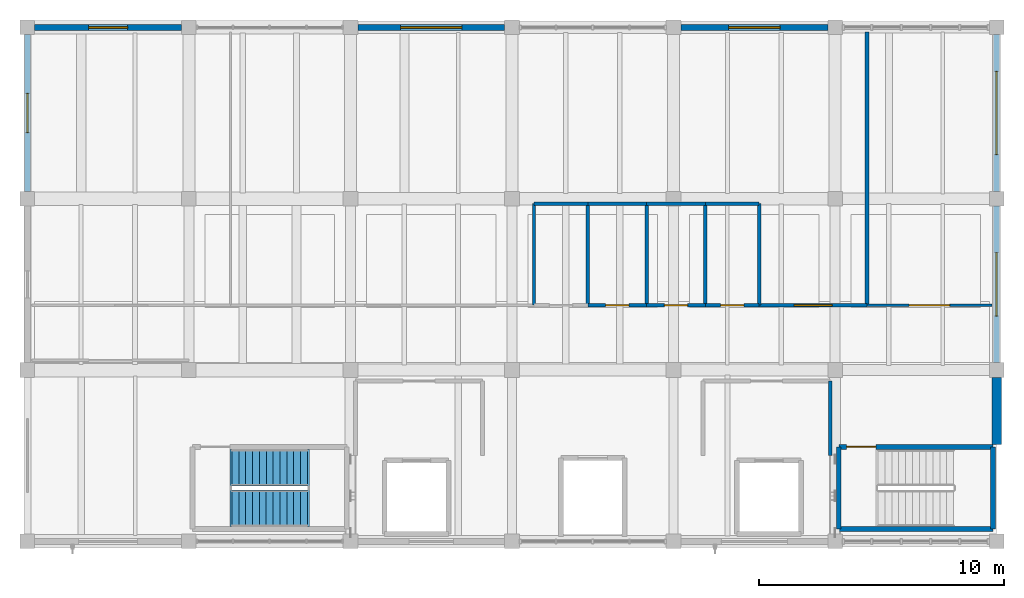
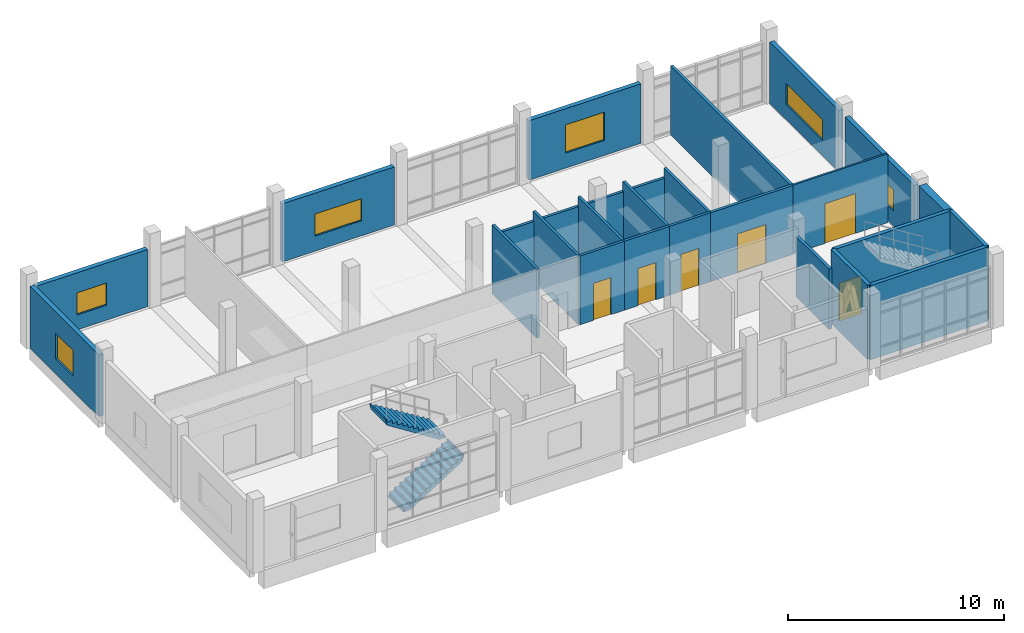
# One storey, part 10 of 14: 27 walls, 6 doors, 6 windows, 2 stair flights, 12 openings, 1 element without a shape of its own.
"""IFC4 building model written with IfcOpenShell, lengths in metres."""

from ifc_helpers import new_model, si_unit, direction, frame, frame_2d, origin, place, context, subcontext, project, spatial, polyline, rectangle, outline, extrude, material, layer, layer_set, type_object, element, fill, aggregate, save


model = new_model("IFC4")

# Units and contexts
model_context = context("Model", 3, precision=1e-05, world=origin(), true_north=direction((0.0, 1.0)))
body_context = subcontext(model_context, "Body", "Model", "MODEL_VIEW")
ifc_project = project(units=[si_unit("LENGTHUNIT", "METRE"), si_unit("AREAUNIT", "SQUARE_METRE"), si_unit("VOLUMEUNIT", "CUBIC_METRE"), si_unit("PLANEANGLEUNIT", "RADIAN"), si_unit("MASSUNIT", "GRAM", prefix="KILO")], contexts=[model_context])

# Site, building, storey
site_placement = place(None, origin())
site = spatial("IfcSite", under=ifc_project, at=site_placement, CompositionType="ELEMENT")
building_placement = place(site_placement, origin())
building = spatial("IfcBuilding", under=site, at=building_placement, Name="Ciguamira Faculty of Natural Sciences", CompositionType="ELEMENT")
storey_placement = place(building_placement, frame((0.0, 0.0, 33.60009765625)))
storey = spatial("IfcBuildingStorey", under=building, at=storey_placement, Name="L08", CompositionType="ELEMENT", Elevation=33.60009765625)

# Wall, opening, window
ifc_material_1 = material(Name="Precast concrete C40/50", Category="concrete")
ifc_layer_1 = layer(ifc_material_1, 0.239990234375, Name="Precast concrete C40/50")
ifc_layer_set_1 = layer_set([ifc_layer_1], Name="Precast concrete C40/50")
wall_type_1 = type_object("IfcWallType", Name="ExtWall_EW-02_240", PredefinedType="SOLIDWALL", material=ifc_layer_set_1)
wall_1_placement = place(storey_placement, frame((64.199951171875, 115.0, 0.0), z_axis=(0.0, 0.0, 1.0), x_axis=(1.0, 0.0, 0.0)))
wall_1 = element("IfcWall", 1, at=wall_1_placement, inside=storey, type_object=wall_type_1, Name="L08 exterior wall 0376", PredefinedType="SOLIDWALL", context=body_context, shape_type="SweptSolid", body=[
    extrude(rectangle(XDim=6.0, YDim=0.239990234375, at=frame_2d((3.0, 0.0))), origin(), (0.0, 0.0, 1.0), 3.23486328125),
])
opening_1_placement = place(wall_1_placement, frame((2.199951171875, 0.0, 0.85009765625)))
opening_1 = element("IfcOpeningElement", 2, at=opening_1_placement, cuts=wall_1, Name="Opening WT-16", PredefinedType="OPENING", context=body_context, shape_type="SweptSolid", body=[
    extrude(rectangle(XDim=1.60009765625, YDim=1.25, at=frame_2d((0.800048828125, 0.625))), frame((0.0, 0.1298828125, 0.0), z_axis=(0.0, -1.0, 0.0), x_axis=(1.0, 0.0, 0.0)), (0.0, 0.0, 1.0), 0.260009765625),
])
ifc_material_2 = material(Name="Hurricane laminated solar glass", Category="glass")
window_type_1 = type_object("IfcWindowType", Name="Window_WT-16_1600x1250", PartitioningType="DOUBLE_PANEL_VERTICAL", PredefinedType="WINDOW", material=ifc_material_2)
window_1_placement = place(opening_1_placement, origin())
window_1 = element("IfcWindow", 3, at=window_1_placement, inside=storey, type_object=window_type_1, Name="L08 facade window 0263", OverallHeight=1.25, OverallWidth=1.60009765625, PartitioningType="SINGLE_PANEL", PredefinedType="WINDOW", context=body_context, shape_type="SweptSolid", body=[
    extrude(rectangle(XDim=1.60009765625, YDim=1.25, at=frame_2d((0.800048828125, 0.625))), frame((0.0, 0.030029296875, 0.0), z_axis=(0.0, -1.0, 0.0), x_axis=(1.0, 0.0, 0.0)), (0.0, 0.0, 1.0), 0.06005859375),
])
fill(opening_1, window_1)

wall_2_placement = place(storey_placement, frame((77.39990234375, 115.0, 0.0), z_axis=(0.0, 0.0, 1.0), x_axis=(1.0, 0.0, 0.0)))
wall_2 = element("IfcWall", 4, at=wall_2_placement, inside=storey, type_object=wall_type_1, Name="L08 exterior wall 0377", PredefinedType="SOLIDWALL", context=body_context, shape_type="SweptSolid", body=[
    extrude(rectangle(XDim=6.0, YDim=0.239990234375, at=frame_2d((3.0, 0.0))), origin(), (0.0, 0.0, 1.0), 3.284912109375),
])
opening_2_placement = place(wall_2_placement, frame((1.75, 0.0, 0.85009765625)))
opening_2 = element("IfcOpeningElement", 5, at=opening_2_placement, cuts=wall_2, Name="Opening WT-19", PredefinedType="OPENING", context=body_context, shape_type="SweptSolid", body=[
    extrude(rectangle(XDim=2.5, YDim=1.25, at=frame_2d((1.25, 0.625))), frame((0.0, 0.1298828125, 0.0), z_axis=(0.0, -1.0, 0.0), x_axis=(1.0, 0.0, 0.0)), (0.0, 0.0, 1.0), 0.260009765625),
])
window_type_2 = type_object("IfcWindowType", Name="Window_WT-19_2500x1250", PartitioningType="DOUBLE_PANEL_VERTICAL", PredefinedType="WINDOW", material=ifc_material_2)
window_2_placement = place(opening_2_placement, origin())
window_2 = element("IfcWindow", 6, at=window_2_placement, inside=storey, type_object=window_type_2, Name="L08 facade window 0264", OverallHeight=1.25, OverallWidth=2.5, PartitioningType="SINGLE_PANEL", PredefinedType="WINDOW", context=body_context, shape_type="SweptSolid", body=[
    extrude(rectangle(XDim=2.5, YDim=1.25, at=frame_2d((1.25, 0.625))), frame((0.0, 0.030029296875, 0.0), z_axis=(0.0, -1.0, 0.0), x_axis=(1.0, 0.0, 0.0)), (0.0, 0.0, 1.0), 0.06005859375),
])
fill(opening_2, window_2)

wall_3_placement = place(storey_placement, frame((90.60009765625, 115.0, 0.0), z_axis=(0.0, 0.0, 1.0), x_axis=(1.0, 0.0, 0.0)))
wall_3 = element("IfcWall", 7, at=wall_3_placement, inside=storey, type_object=wall_type_1, Name="L08 exterior wall 0378", PredefinedType="SOLIDWALL", context=body_context, shape_type="SweptSolid", body=[
    extrude(rectangle(XDim=6.0, YDim=0.239990234375, at=frame_2d((3.0, 0.0))), origin(), (0.0, 0.0, 1.0), 3.364990234375),
])
opening_3_placement = place(wall_3_placement, frame((1.949951171875, 0.0, 0.85009765625)))
opening_3 = element("IfcOpeningElement", 8, at=opening_3_placement, cuts=wall_3, Name="Opening WT-22", PredefinedType="OPENING", context=body_context, shape_type="SweptSolid", body=[
    extrude(rectangle(XDim=2.10009765625, YDim=1.60009765625, at=frame_2d((1.050048828125, 0.800048828125))), frame((0.0, 0.1298828125, 0.0), z_axis=(0.0, -1.0, 0.0), x_axis=(1.0, 0.0, 0.0)), (0.0, 0.0, 1.0), 0.260009765625),
])
window_type_3 = type_object("IfcWindowType", Name="Window_WT-22_2100x1600", PartitioningType="DOUBLE_PANEL_VERTICAL", PredefinedType="WINDOW", material=ifc_material_2)
window_3_placement = place(opening_3_placement, origin())
window_3 = element("IfcWindow", 9, at=window_3_placement, inside=storey, type_object=window_type_3, Name="L08 facade window 0265", OverallHeight=1.60009765625, OverallWidth=2.10009765625, PartitioningType="SINGLE_PANEL", PredefinedType="WINDOW", context=body_context, shape_type="SweptSolid", body=[
    extrude(rectangle(XDim=2.10009765625, YDim=1.60009765625, at=frame_2d((1.050048828125, 0.800048828125))), frame((0.0, 0.030029296875, 0.0), z_axis=(0.0, -1.0, 0.0), x_axis=(1.0, 0.0, 0.0)), (0.0, 0.0, 1.0), 0.06005859375),
])
fill(opening_3, window_3)

wall_4_placement = place(storey_placement, frame((63.89990234375, 108.300048828125, 0.0), z_axis=(0.0, 0.0, 1.0), x_axis=(0.0, 1.0, 0.0)))
wall_4 = element("IfcWall", 10, at=wall_4_placement, inside=storey, type_object=wall_type_1, Name="L08 exterior wall 0381", PredefinedType="SOLIDWALL", context=body_context, shape_type="SweptSolid", body=[
    extrude(rectangle(XDim=6.39990234375, YDim=0.239990234375, at=frame_2d((3.199951171875, 0.0))), origin(), (0.0, 0.0, 1.0), 3.5048828125),
])
opening_4_placement = place(wall_4_placement, frame((2.39990234375, 0.0, 0.85009765625)))
opening_4 = element("IfcOpeningElement", 11, at=opening_4_placement, cuts=wall_4, Name="Opening WT-29", PredefinedType="OPENING", context=body_context, shape_type="SweptSolid", body=[
    extrude(rectangle(XDim=1.60009765625, YDim=1.449951171875, at=frame_2d((0.800048828125, 0.72509765625))), frame((0.0, 0.1298828125, 0.0), z_axis=(0.0, -1.0, 0.0), x_axis=(1.0, 0.0, 0.0)), (0.0, 0.0, 1.0), 0.260009765625),
])
window_type_4 = type_object("IfcWindowType", Name="Window_WT-29_1600x1450", PartitioningType="DOUBLE_PANEL_VERTICAL", PredefinedType="WINDOW", material=ifc_material_2)
window_4_placement = place(opening_4_placement, origin())
window_4 = element("IfcWindow", 12, at=window_4_placement, inside=storey, type_object=window_type_4, Name="L08 facade window 0268", OverallHeight=1.449951171875, OverallWidth=1.60009765625, PartitioningType="SINGLE_PANEL", PredefinedType="WINDOW", context=body_context, shape_type="SweptSolid", body=[
    extrude(rectangle(XDim=1.60009765625, YDim=1.449951171875, at=frame_2d((0.800048828125, 0.72509765625))), frame((0.0, 0.030029296875, 0.0), z_axis=(0.0, -1.0, 0.0), x_axis=(1.0, 0.0, 0.0)), (0.0, 0.0, 1.0), 0.06005859375),
])
fill(opening_4, window_4)

wall_5_placement = place(storey_placement, frame((103.5, 101.300048828125, 0.0), z_axis=(0.0, 0.0, 1.0), x_axis=(0.0, 1.0, 0.0)))
wall_5 = element("IfcWall", 13, at=wall_5_placement, inside=storey, type_object=wall_type_1, Name="L08 exterior wall 0383", PredefinedType="SOLIDWALL", context=body_context, shape_type="SweptSolid", body=[
    extrude(rectangle(XDim=6.39990234375, YDim=0.239990234375, at=frame_2d((3.199951171875, 0.0))), origin(), (0.0, 0.0, 1.0), 3.46484375),
])
opening_5_placement = place(wall_5_placement, frame((1.89990234375, 0.0, 0.85009765625)))
opening_5 = element("IfcOpeningElement", 14, at=opening_5_placement, cuts=wall_5, Name="Opening WT-32", PredefinedType="OPENING", context=body_context, shape_type="SweptSolid", body=[
    extrude(rectangle(XDim=2.60009765625, YDim=1.199951171875, at=frame_2d((1.300048828125, 0.60009765625))), frame((0.0, 0.1298828125, 0.0), z_axis=(0.0, -1.0, 0.0), x_axis=(1.0, 0.0, 0.0)), (0.0, 0.0, 1.0), 0.260009765625),
])
window_type_5 = type_object("IfcWindowType", Name="Window_WT-32_2600x1200", PartitioningType="DOUBLE_PANEL_VERTICAL", PredefinedType="WINDOW", material=ifc_material_2)
window_5_placement = place(opening_5_placement, origin())
window_5 = element("IfcWindow", 15, at=window_5_placement, inside=storey, type_object=window_type_5, Name="L08 facade window 0269", OverallHeight=1.199951171875, OverallWidth=2.60009765625, PartitioningType="SINGLE_PANEL", PredefinedType="WINDOW", context=body_context, shape_type="SweptSolid", body=[
    extrude(rectangle(XDim=2.60009765625, YDim=1.199951171875, at=frame_2d((1.300048828125, 0.60009765625))), frame((0.0, 0.030029296875, 0.0), z_axis=(0.0, -1.0, 0.0), x_axis=(1.0, 0.0, 0.0)), (0.0, 0.0, 1.0), 0.06005859375),
])
fill(opening_5, window_5)

wall_6_placement = place(storey_placement, frame((103.5, 108.300048828125, 0.0), z_axis=(0.0, 0.0, 1.0), x_axis=(0.0, 1.0, 0.0)))
wall_6 = element("IfcWall", 16, at=wall_6_placement, inside=storey, type_object=wall_type_1, Name="L08 exterior wall 0384", PredefinedType="SOLIDWALL", context=body_context, shape_type="SweptSolid", body=[
    extrude(rectangle(XDim=6.39990234375, YDim=0.239990234375, at=frame_2d((3.199951171875, 0.0))), origin(), (0.0, 0.0, 1.0), 3.46484375),
])
opening_6_placement = place(wall_6_placement, frame((1.5, 0.0, 0.85009765625)))
opening_6 = element("IfcOpeningElement", 17, at=opening_6_placement, cuts=wall_6, Name="Opening WT-34", PredefinedType="OPENING", context=body_context, shape_type="SweptSolid", body=[
    extrude(rectangle(XDim=3.39990234375, YDim=1.199951171875, at=frame_2d((1.699951171875, 0.60009765625))), frame((0.0, 0.1298828125, 0.0), z_axis=(0.0, -1.0, 0.0), x_axis=(1.0, 0.0, 0.0)), (0.0, 0.0, 1.0), 0.260009765625),
])
window_type_6 = type_object("IfcWindowType", Name="Window_WT-34_3400x1200", PartitioningType="DOUBLE_PANEL_VERTICAL", PredefinedType="WINDOW", material=ifc_material_2)
window_6_placement = place(opening_6_placement, origin())
window_6 = element("IfcWindow", 18, at=window_6_placement, inside=storey, type_object=window_type_6, Name="L08 facade window 0270", OverallHeight=1.199951171875, OverallWidth=3.39990234375, PartitioningType="SINGLE_PANEL", PredefinedType="WINDOW", context=body_context, shape_type="SweptSolid", body=[
    extrude(rectangle(XDim=3.39990234375, YDim=1.199951171875, at=frame_2d((1.699951171875, 0.60009765625))), frame((0.0, 0.030029296875, 0.0), z_axis=(0.0, -1.0, 0.0), x_axis=(1.0, 0.0, 0.0)), (0.0, 0.0, 1.0), 0.06005859375),
])
fill(opening_6, window_6)

# Walls
ifc_material_3 = material(Name="Concrete C40/50", Category="concrete")
ifc_layer_2 = layer(ifc_material_3, 0.39990234375, Name="Concrete C40/50")
ifc_layer_set_2 = layer_set([ifc_layer_2], Name="Concrete C40/50")
wall_type_2 = type_object("IfcWallType", Name="ExtWall_RW-02_400", PredefinedType="SHEAR", material=ifc_layer_set_2)
wall_7_placement = place(storey_placement, frame((103.5, 97.9599609375, 0.0), z_axis=(0.0, 0.0, 1.0), x_axis=(0.0, 1.0, 0.0)))
element("IfcWall", 19, at=wall_7_placement, inside=storey, type_object=wall_type_2, Name="L08 exterior wall 0382", PredefinedType="SHEAR", context=body_context, shape_type="SweptSolid", body=[
    extrude(rectangle(XDim=2.739990234375, YDim=0.39990234375, at=frame_2d((1.3701171875, 0.0))), origin(), (0.0, 0.0, 1.0), 3.849853515625),
])
ifc_layer_3 = layer(ifc_material_3, 0.199951171875, Name="Concrete C40/50")
ifc_layer_set_3 = layer_set([ifc_layer_3], Name="Concrete C40/50")
wall_type_3 = type_object("IfcWallType", Name="IntWall_CW-S20_200", PredefinedType="SHEAR", material=ifc_layer_set_3)
wall_8_placement = place(storey_placement, frame((97.050048828125, 94.5, 0.0), z_axis=(0.0, 0.0, 1.0), x_axis=(1.0, 0.0, 0.0)))
element("IfcWall", 20, at=wall_8_placement, inside=storey, type_object=wall_type_3, Name="L08 ST-T2 core shear wall south", PredefinedType="SHEAR", context=body_context, shape_type="SweptSolid", body=[
    extrude(rectangle(XDim=6.300048828125, YDim=0.199951171875, at=frame_2d((3.14990234375, 0.0))), origin(), (0.0, 0.0, 1.0), 4.199951171875),
])

# Wall, opening, door
wall_9_placement = place(storey_placement, frame((97.050048828125, 97.860107421875, 0.0), z_axis=(0.0, 0.0, 1.0), x_axis=(1.0, 0.0, 0.0)))
wall_9 = element("IfcWall", 21, at=wall_9_placement, inside=storey, type_object=wall_type_3, Name="L08 ST-T2 core shear wall north", PredefinedType="SHEAR", context=body_context, shape_type="SweptSolid", body=[
    extrude(rectangle(XDim=6.300048828125, YDim=0.199951171875, at=frame_2d((3.14990234375, 0.0))), origin(), (0.0, 0.0, 1.0), 4.199951171875),
])
opening_7_placement = place(wall_9_placement, frame((0.320068359375, 0.0, 0.0)))
opening_7 = element("IfcOpeningElement", 22, at=opening_7_placement, cuts=wall_9, Name="Opening ID-14", PredefinedType="OPENING", context=body_context, shape_type="SweptSolid", body=[
    extrude(rectangle(XDim=1.199951171875, YDim=2.14990234375, at=frame_2d((0.60009765625, 1.074951171875))), frame((0.0, 0.10986328125, 0.0), z_axis=(0.0, -1.0, 0.0), x_axis=(1.0, 0.0, 0.0)), (0.0, 0.0, 1.0), 0.219970703125),
])
ifc_material_4 = material(Name="Protected exit stair fire door")
door_type_1 = type_object("IfcDoorType", Name="IntDoor_ID-14_1200x2150", OperationType="NOTDEFINED", PredefinedType="DOOR", material=ifc_material_4)
door_1_placement = place(opening_7_placement, frame((1.199951171875, 0.0, 0.0), z_axis=(0.0, 0.0, 1.0), x_axis=(-1.0, 0.0, 0.0)))
door_1 = element("IfcDoor", 23, at=door_1_placement, inside=storey, type_object=door_type_1, Name="L08 ST-T2 exit stair fire door", OperationType="SINGLE_SWING_LEFT", OverallHeight=2.14990234375, OverallWidth=1.199951171875, PredefinedType="DOOR", context=body_context, shape_type="SweptSolid", body=[
    extrude(rectangle(XDim=1.199951171875, YDim=2.14990234375, at=frame_2d((0.60009765625, 1.074951171875))), frame((0.0, 0.02490234375, 0.0), z_axis=(0.0, -1.0, 0.0), x_axis=(1.0, 0.0, 0.0)), (0.0, 0.0, 1.0), 0.050048828125),
])
fill(opening_7, door_1)

# Walls
for number, where, z_axis, x_axis, name in (
    (24, (97.050048828125, 94.5, 0.0), (0.0, 0.0, 1.0), (0.0, 1.0, 0.0), "L08 ST-T2 core shear wall west"),
    (25, (103.35009765625, 94.5, 0.0), (0.0, 0.0, 1.0), (0.0, 1.0, 0.0), "L08 ST-T2 core shear wall east"),
):
    element("IfcWall", number, at=place(storey_placement, frame(where, z_axis=z_axis, x_axis=x_axis)), inside=storey, type_object=wall_type_3, Name=name, PredefinedType="SHEAR", context=body_context, shape_type="SweptSolid", body=[
        extrude(rectangle(XDim=3.360107421875, YDim=0.199951171875, at=frame_2d((1.68017578125, 0.0))), origin(), (0.0, 0.0, 1.0), 4.199951171875),
    ])

# Wall, opening, door
ifc_material_5 = material(Name="Fire-rated gypsum partition")
ifc_layer_4 = layer(ifc_material_5, 0.10009765625, Name="Fire-rated gypsum partition")
ifc_layer_set_4 = layer_set([ifc_layer_4], Name="Fire-rated gypsum partition")
wall_type_4 = type_object("IfcWallType", Name="IntWall_IW-A10_100", PredefinedType="PARTITIONING", material=ifc_layer_set_4)
wall_10_placement = place(storey_placement, frame((98.199951171875, 103.64990234375, 0.0), z_axis=(0.0, 0.0, 1.0), x_axis=(1.0, 0.0, 0.0)))
wall_10 = element("IfcWall", 26, at=wall_10_placement, inside=storey, type_object=wall_type_4, Name="L08 Physics Academic Staff Offices partition south", PredefinedType="PARTITIONING", context=body_context, shape_type="SweptSolid", body=[
    extrude(rectangle(XDim=5.10009765625, YDim=0.10009765625, at=frame_2d((2.550048828125, 0.0))), origin(), (0.0, 0.0, 1.0), 3.89990234375),
])
opening_8_placement = place(wall_10_placement, frame((1.72509765625, 0.0, 0.0)))
opening_8 = element("IfcOpeningElement", 27, at=opening_8_placement, cuts=wall_10, Name="Opening ID-10", PredefinedType="OPENING", context=body_context, shape_type="SweptSolid", body=[
    extrude(rectangle(XDim=1.64990234375, YDim=2.25, at=frame_2d((0.824951171875, 1.125))), frame((0.0, 0.06005859375, 0.0), z_axis=(0.0, -1.0, 0.0), x_axis=(1.0, 0.0, 0.0)), (0.0, 0.0, 1.0), 0.1201171875),
])
ifc_material_6 = material(Name="Reading hall double acoustic door")
door_type_2 = type_object("IfcDoorType", Name="IntDoor_ID-10_1650x2250", OperationType="NOTDEFINED", PredefinedType="DOOR", material=ifc_material_6)
door_2_placement = place(opening_8_placement, origin())
door_2 = element("IfcDoor", 28, at=door_2_placement, inside=storey, type_object=door_type_2, Name="L08 Physics Academic Staff Offices door", OperationType="SINGLE_SWING_RIGHT", OverallHeight=2.25, OverallWidth=1.64990234375, PredefinedType="DOOR", context=body_context, shape_type="SweptSolid", body=[
    extrude(rectangle(XDim=1.64990234375, YDim=2.25, at=frame_2d((0.824951171875, 1.125))), frame((0.0, 0.02490234375, 0.0), z_axis=(0.0, -1.0, 0.0), x_axis=(1.0, 0.0, 0.0)), (0.0, 0.0, 1.0), 0.050048828125),
])
fill(opening_8, door_2)

# Wall
ifc_material_7 = material(Name="Fire-rated blockwork wall", Category="masonry")
ifc_layer_5 = layer(ifc_material_7, 0.159912109375, Name="Fire-rated blockwork wall")
ifc_layer_set_5 = layer_set([ifc_layer_5], Name="Fire-rated blockwork wall")
wall_type_5 = type_object("IfcWallType", Name="IntWall_IW-F16_160", PredefinedType="SOLIDWALL", material=ifc_layer_set_5)
wall_11_placement = place(storey_placement, frame((96.699951171875, 97.5, 0.0), z_axis=(0.0, 0.0, 1.0), x_axis=(0.0, 1.0, 0.0)))
element("IfcWall", 29, at=wall_11_placement, inside=storey, type_object=wall_type_5, Name="L08 Firefighting Lift Lobby 2 partition east", PredefinedType="SOLIDWALL", context=body_context, shape_type="SweptSolid", body=[
    extrude(rectangle(XDim=3.050048828125, YDim=0.159912109375, at=frame_2d((1.52490234375, 0.0))), origin(), (0.0, 0.0, 1.0), 3.40478515625),
])

# Wall, opening, door
ifc_material_8 = material(Name="Acoustic laboratory corridor partition")
ifc_layer_6 = layer(ifc_material_8, 0.14990234375, Name="Acoustic laboratory corridor partition")
ifc_layer_set_6 = layer_set([ifc_layer_6], Name="Acoustic laboratory corridor partition")
wall_type_6 = type_object("IfcWallType", Name="IntWall_IW-G15_150", PredefinedType="PARTITIONING", material=ifc_layer_set_6)
wall_12_placement = place(storey_placement, frame((93.800048828125, 103.64990234375, 0.0), z_axis=(0.0, 0.0, 1.0), x_axis=(1.0, 0.0, 0.0)))
wall_12 = element("IfcWall", 30, at=wall_12_placement, inside=storey, type_object=wall_type_6, Name="L08 Optics and Photonics Laboratory partition south", PredefinedType="PARTITIONING", context=body_context, shape_type="SweptSolid", body=[
    extrude(rectangle(XDim=4.39990234375, YDim=0.14990234375, at=frame_2d((2.199951171875, 0.0))), origin(), (0.0, 0.0, 1.0), 3.89990234375),
])
opening_9_placement = place(wall_12_placement, frame((1.425048828125, 0.0, 0.0)))
opening_9 = element("IfcOpeningElement", 31, at=opening_9_placement, cuts=wall_12, Name="Opening ID-09", PredefinedType="OPENING", context=body_context, shape_type="SweptSolid", body=[
    extrude(rectangle(XDim=1.550048828125, YDim=2.199951171875, at=frame_2d((0.77490234375, 1.10009765625))), frame((0.0, 0.0849609375, 0.0), z_axis=(0.0, -1.0, 0.0), x_axis=(1.0, 0.0, 0.0)), (0.0, 0.0, 1.0), 0.169921875),
])
ifc_material_9 = material(Name="Teaching laboratory double door")
door_type_3 = type_object("IfcDoorType", Name="IntDoor_ID-09_1550x2200", OperationType="NOTDEFINED", PredefinedType="DOOR", material=ifc_material_9)
door_3_placement = place(opening_9_placement, origin())
door_3 = element("IfcDoor", 32, at=door_3_placement, inside=storey, type_object=door_type_3, Name="L08 Optics and Photonics Laboratory door", OperationType="SINGLE_SWING_LEFT", OverallHeight=2.199951171875, OverallWidth=1.550048828125, PredefinedType="DOOR", context=body_context, shape_type="SweptSolid", body=[
    extrude(rectangle(XDim=1.550048828125, YDim=2.199951171875, at=frame_2d((0.77490234375, 1.10009765625))), frame((0.0, 0.02490234375, 0.0), z_axis=(0.0, -1.0, 0.0), x_axis=(1.0, 0.0, 0.0)), (0.0, 0.0, 1.0), 0.050048828125),
])
fill(opening_9, door_3)

# Walls
wall_13_placement = place(storey_placement, frame((98.199951171875, 103.64990234375, 0.0), z_axis=(0.0, 0.0, 1.0), x_axis=(0.0, 1.0, 0.0)))
element("IfcWall", 33, at=wall_13_placement, inside=storey, type_object=wall_type_6, Name="L08 Optics and Photonics Laboratory partition east", PredefinedType="PARTITIONING", context=body_context, shape_type="SweptSolid", body=[
    extrude(rectangle(XDim=11.150146484375, YDim=0.14990234375, at=frame_2d((5.5751953125, 0.0))), origin(), (0.0, 0.0, 1.0), 3.89990234375),
])
ifc_material_10 = material(Name="Moisture-resistant service chase wall")
ifc_layer_7 = layer(ifc_material_10, 0.139892578125, Name="Moisture-resistant service chase wall")
ifc_layer_set_7 = layer_set([ifc_layer_7], Name="Moisture-resistant service chase wall")
wall_type_7 = type_object("IfcWallType", Name="IntWall_IW-P14_140", PredefinedType="PLUMBINGWALL", material=ifc_layer_set_7)
wall_14_placement = place(storey_placement, frame((84.60009765625, 107.800048828125, 0.0), z_axis=(0.0, 0.0, 1.0), x_axis=(1.0, 0.0, 0.0)))
element("IfcWall", 34, at=wall_14_placement, inside=storey, type_object=wall_type_7, Name="L08 Accessible WC partition north", PredefinedType="PLUMBINGWALL", context=body_context, shape_type="SweptSolid", body=[
    extrude(rectangle(XDim=2.199951171875, YDim=0.139892578125, at=frame_2d((1.10009765625, 0.0))), origin(), (0.0, 0.0, 1.0), 3.364990234375),
])
for number, where, z_axis, x_axis, name in (
    (35, (84.60009765625, 103.64990234375, 0.0), (0.0, 0.0, 1.0), (0.0, 1.0, 0.0), "L08 Accessible WC partition west"),
    (36, (86.800048828125, 103.64990234375, 0.0), (0.0, 0.0, 1.0), (0.0, 1.0, 0.0), "L08 Accessible WC partition east"),
):
    element("IfcWall", number, at=place(storey_placement, frame(where, z_axis=z_axis, x_axis=x_axis)), inside=storey, type_object=wall_type_7, Name=name, PredefinedType="PLUMBINGWALL", context=body_context, shape_type="SweptSolid", body=[
        extrude(rectangle(XDim=4.150146484375, YDim=0.139892578125, at=frame_2d((2.0751953125, 0.0))), origin(), (0.0, 0.0, 1.0), 3.89990234375),
    ])

# Wall, opening, door
wall_15_placement = place(storey_placement, frame((86.800048828125, 103.64990234375, 0.0), z_axis=(0.0, 0.0, 1.0), x_axis=(1.0, 0.0, 0.0)))
wall_15 = element("IfcWall", 37, at=wall_15_placement, inside=storey, type_object=wall_type_7, Name="L08 Public Restroom Female partition south", PredefinedType="PLUMBINGWALL", context=body_context, shape_type="SweptSolid", body=[
    extrude(rectangle(XDim=2.39990234375, YDim=0.139892578125, at=frame_2d((1.199951171875, 0.0))), origin(), (0.0, 0.0, 1.0), 3.89990234375),
])
opening_10_placement = place(wall_15_placement, frame((0.72509765625, 0.0, 0.0)))
opening_10 = element("IfcOpeningElement", 38, at=opening_10_placement, cuts=wall_15, Name="Opening ID-02", PredefinedType="OPENING", context=body_context, shape_type="SweptSolid", body=[
    extrude(rectangle(XDim=0.949951171875, YDim=2.10009765625, at=frame_2d((0.47509765625, 1.050048828125))), frame((0.0, 0.079833984375, 0.0), z_axis=(0.0, -1.0, 0.0), x_axis=(1.0, 0.0, 0.0)), (0.0, 0.0, 1.0), 0.159912109375),
])
ifc_material_11 = material(Name="Accessible WC outward-clear door")
door_type_4 = type_object("IfcDoorType", Name="IntDoor_ID-02_950x2100", OperationType="NOTDEFINED", PredefinedType="DOOR", material=ifc_material_11)
door_4_placement = place(opening_10_placement, origin())
door_4 = element("IfcDoor", 39, at=door_4_placement, inside=storey, type_object=door_type_4, Name="L08 Public Restroom Female door", OperationType="SINGLE_SWING_RIGHT", OverallHeight=2.10009765625, OverallWidth=0.949951171875, PredefinedType="DOOR", context=body_context, shape_type="SweptSolid", body=[
    extrude(rectangle(XDim=0.949951171875, YDim=2.10009765625, at=frame_2d((0.47509765625, 1.050048828125))), frame((0.0, 0.02490234375, 0.0), z_axis=(0.0, -1.0, 0.0), x_axis=(1.0, 0.0, 0.0)), (0.0, 0.0, 1.0), 0.050048828125),
])
fill(opening_10, door_4)

# Walls
wall_16_placement = place(storey_placement, frame((86.800048828125, 107.800048828125, 0.0), z_axis=(0.0, 0.0, 1.0), x_axis=(1.0, 0.0, 0.0)))
element("IfcWall", 40, at=wall_16_placement, inside=storey, type_object=wall_type_7, Name="L08 Public Restroom Female partition north", PredefinedType="PLUMBINGWALL", context=body_context, shape_type="SweptSolid", body=[
    extrude(rectangle(XDim=2.39990234375, YDim=0.139892578125, at=frame_2d((1.199951171875, 0.0))), origin(), (0.0, 0.0, 1.0), 3.364990234375),
])
wall_17_placement = place(storey_placement, frame((89.199951171875, 103.64990234375, 0.0), z_axis=(0.0, 0.0, 1.0), x_axis=(0.0, 1.0, 0.0)))
element("IfcWall", 41, at=wall_17_placement, inside=storey, type_object=wall_type_7, Name="L08 Public Restroom Female partition east", PredefinedType="PLUMBINGWALL", context=body_context, shape_type="SweptSolid", body=[
    extrude(rectangle(XDim=4.150146484375, YDim=0.139892578125, at=frame_2d((2.0751953125, 0.0))), origin(), (0.0, 0.0, 1.0), 3.89990234375),
])

# Wall, opening, door
wall_18_placement = place(storey_placement, frame((89.199951171875, 103.64990234375, 0.0), z_axis=(0.0, 0.0, 1.0), x_axis=(1.0, 0.0, 0.0)))
wall_18 = element("IfcWall", 42, at=wall_18_placement, inside=storey, type_object=wall_type_7, Name="L08 Public Restroom Male partition south", PredefinedType="PLUMBINGWALL", context=body_context, shape_type="SweptSolid", body=[
    extrude(rectangle(XDim=2.400146484375, YDim=0.139892578125, at=frame_2d((1.2001953125, 0.0))), origin(), (0.0, 0.0, 1.0), 3.89990234375),
])
opening_11_placement = place(wall_18_placement, frame((0.72509765625, 0.0, 0.0)))
opening_11 = element("IfcOpeningElement", 43, at=opening_11_placement, cuts=wall_18, Name="Opening ID-02", PredefinedType="OPENING", context=body_context, shape_type="SweptSolid", body=[
    extrude(rectangle(XDim=0.949951171875, YDim=2.10009765625, at=frame_2d((0.47509765625, 1.050048828125))), frame((0.0, 0.079833984375, 0.0), z_axis=(0.0, -1.0, 0.0), x_axis=(1.0, 0.0, 0.0)), (0.0, 0.0, 1.0), 0.159912109375),
])
door_5_placement = place(opening_11_placement, origin())
door_5 = element("IfcDoor", 44, at=door_5_placement, inside=storey, type_object=door_type_4, Name="L08 Public Restroom Male door", OperationType="SINGLE_SWING_LEFT", OverallHeight=2.10009765625, OverallWidth=0.949951171875, PredefinedType="DOOR", context=body_context, shape_type="SweptSolid", body=[
    extrude(rectangle(XDim=0.949951171875, YDim=2.10009765625, at=frame_2d((0.47509765625, 1.050048828125))), frame((0.0, 0.02490234375, 0.0), z_axis=(0.0, -1.0, 0.0), x_axis=(1.0, 0.0, 0.0)), (0.0, 0.0, 1.0), 0.050048828125),
])
fill(opening_11, door_5)

# Walls
wall_19_placement = place(storey_placement, frame((89.199951171875, 107.800048828125, 0.0), z_axis=(0.0, 0.0, 1.0), x_axis=(1.0, 0.0, 0.0)))
element("IfcWall", 45, at=wall_19_placement, inside=storey, type_object=wall_type_7, Name="L08 Public Restroom Male partition north", PredefinedType="PLUMBINGWALL", context=body_context, shape_type="SweptSolid", body=[
    extrude(rectangle(XDim=2.400146484375, YDim=0.139892578125, at=frame_2d((1.2001953125, 0.0))), origin(), (0.0, 0.0, 1.0), 3.364990234375),
])
wall_20_placement = place(storey_placement, frame((91.60009765625, 103.64990234375, 0.0), z_axis=(0.0, 0.0, 1.0), x_axis=(0.0, 1.0, 0.0)))
element("IfcWall", 46, at=wall_20_placement, inside=storey, type_object=wall_type_7, Name="L08 Public Restroom Male partition east", PredefinedType="PLUMBINGWALL", context=body_context, shape_type="SweptSolid", body=[
    extrude(rectangle(XDim=4.150146484375, YDim=0.139892578125, at=frame_2d((2.0751953125, 0.0))), origin(), (0.0, 0.0, 1.0), 3.89990234375),
])

# Wall, opening, door
wall_21_placement = place(storey_placement, frame((91.60009765625, 103.64990234375, 0.0), z_axis=(0.0, 0.0, 1.0), x_axis=(1.0, 0.0, 0.0)))
wall_21 = element("IfcWall", 47, at=wall_21_placement, inside=storey, type_object=wall_type_7, Name="L08 Staff Restroom partition south", PredefinedType="PLUMBINGWALL", context=body_context, shape_type="SweptSolid", body=[
    extrude(rectangle(XDim=2.199951171875, YDim=0.139892578125, at=frame_2d((1.10009765625, 0.0))), origin(), (0.0, 0.0, 1.0), 3.89990234375),
])
opening_12_placement = place(wall_21_placement, frame((0.625, 0.0, 0.0)))
opening_12 = element("IfcOpeningElement", 48, at=opening_12_placement, cuts=wall_21, Name="Opening ID-02", PredefinedType="OPENING", context=body_context, shape_type="SweptSolid", body=[
    extrude(rectangle(XDim=0.949951171875, YDim=2.10009765625, at=frame_2d((0.47509765625, 1.050048828125))), frame((0.0, 0.079833984375, 0.0), z_axis=(0.0, -1.0, 0.0), x_axis=(1.0, 0.0, 0.0)), (0.0, 0.0, 1.0), 0.159912109375),
])
door_6_placement = place(opening_12_placement, origin())
door_6 = element("IfcDoor", 49, at=door_6_placement, inside=storey, type_object=door_type_4, Name="L08 Staff Restroom door", OperationType="SINGLE_SWING_RIGHT", OverallHeight=2.10009765625, OverallWidth=0.949951171875, PredefinedType="DOOR", context=body_context, shape_type="SweptSolid", body=[
    extrude(rectangle(XDim=0.949951171875, YDim=2.10009765625, at=frame_2d((0.47509765625, 1.050048828125))), frame((0.0, 0.02490234375, 0.0), z_axis=(0.0, -1.0, 0.0), x_axis=(1.0, 0.0, 0.0)), (0.0, 0.0, 1.0), 0.050048828125),
])
fill(opening_12, door_6)

# Walls
wall_22_placement = place(storey_placement, frame((91.60009765625, 107.800048828125, 0.0), z_axis=(0.0, 0.0, 1.0), x_axis=(1.0, 0.0, 0.0)))
element("IfcWall", 50, at=wall_22_placement, inside=storey, type_object=wall_type_7, Name="L08 Staff Restroom partition north", PredefinedType="PLUMBINGWALL", context=body_context, shape_type="SweptSolid", body=[
    extrude(rectangle(XDim=2.199951171875, YDim=0.139892578125, at=frame_2d((1.10009765625, 0.0))), origin(), (0.0, 0.0, 1.0), 3.364990234375),
])
wall_23_placement = place(storey_placement, frame((93.800048828125, 103.64990234375, 0.0), z_axis=(0.0, 0.0, 1.0), x_axis=(0.0, 1.0, 0.0)))
element("IfcWall", 51, at=wall_23_placement, inside=storey, type_object=wall_type_7, Name="L08 Staff Restroom partition east", PredefinedType="PLUMBINGWALL", context=body_context, shape_type="SweptSolid", body=[
    extrude(rectangle(XDim=4.150146484375, YDim=0.139892578125, at=frame_2d((2.0751953125, 0.0))), origin(), (0.0, 0.0, 1.0), 3.89990234375),
])

# Stair, stair flights
stair_type = type_object("IfcStairType", Name="Stair_STR-01", PredefinedType="HALF_TURN_STAIR", material=ifc_material_3)
stair_placement = place(storey_placement, origin())
stair = element("IfcStair", 52, at=stair_placement, inside=storey, type_object=stair_type, Name="L08 Tower West Exit Stair", PredefinedType="HALF_TURN_STAIR")
stair_flight_type = type_object("IfcStairFlightType", Name="StairFlight_SFL-01", PredefinedType="STRAIGHT", material=ifc_material_1)
stair_flight_1_placement = place(storey_placement, frame((72.260009765625, 95.35009765625, 0.0), z_axis=(0.0, 0.0, 1.0), x_axis=(1.0, 0.0, 0.0)))
stair_flight_1 = element("IfcStairFlight", 53, at=stair_flight_1_placement, type_object=stair_flight_type, Name="ST-T1 flight 1", NumberOfRisers=12, NumberOfTreads=11, PredefinedType="STRAIGHT", RiserHeight=0.175, TreadLength=0.28, context=body_context, shape_type="SweptSolid", body=[
    extrude(outline(polyline([(-0.080078125, -0.034912109375), (-0.080078125, 0.0), (0.0, 0.0), (0.0, 0.175048828125), (0.280029296875, 0.175048828125), (0.280029296875, 0.35009765625), (0.56005859375, 0.35009765625), (0.56005859375, 0.52490234375), (0.840087890625, 0.52490234375), (0.840087890625, 0.699951171875), (1.1201171875, 0.699951171875), (1.1201171875, 0.875), (1.39990234375, 0.875), (1.39990234375, 1.050048828125), (1.679931640625, 1.050048828125), (1.679931640625, 1.22509765625), (1.9599609375, 1.22509765625), (1.9599609375, 1.39990234375), (2.239990234375, 1.39990234375), (2.239990234375, 1.574951171875), (2.52001953125, 1.574951171875), (2.52001953125, 1.75), (2.800048828125, 1.75), (2.800048828125, 1.925048828125), (3.080078125, 1.925048828125), (3.080078125, 2.10009765625), (3.16015625, 2.10009765625), (3.16015625, 2.065185546875), (3.080078125, 1.748291015625), (0.28271484375, -0.034912109375), (-0.080078125, -0.034912109375)])), frame((0.0, 0.75, 0.0), z_axis=(0.0, -1.0, 0.0), x_axis=(1.0, 0.0, 0.0)), (0.0, 0.0, 1.0), 1.5),
])
stair_flight_2_placement = place(storey_placement, frame((75.340087890625, 97.010009765625, 2.099853515625), z_axis=(0.0, 0.0, 1.0), x_axis=(-1.0, 0.0, 0.0)))
stair_flight_2 = element("IfcStairFlight", 54, at=stair_flight_2_placement, type_object=stair_flight_type, Name="ST-T1 flight 2", NumberOfRisers=12, NumberOfTreads=11, PredefinedType="STRAIGHT", RiserHeight=0.175, TreadLength=0.28, context=body_context, shape_type="SweptSolid", body=[
    extrude(outline(polyline([(-0.080078125, -0.034912109375), (-0.080078125, 0.0), (0.0, 0.0), (0.0, 0.175048828125), (0.280029296875, 0.175048828125), (0.280029296875, 0.35009765625), (0.56005859375, 0.35009765625), (0.56005859375, 0.52490234375), (0.840087890625, 0.52490234375), (0.840087890625, 0.699951171875), (1.1201171875, 0.699951171875), (1.1201171875, 0.875), (1.39990234375, 0.875), (1.39990234375, 1.050048828125), (1.679931640625, 1.050048828125), (1.679931640625, 1.22509765625), (1.9599609375, 1.22509765625), (1.9599609375, 1.39990234375), (2.239990234375, 1.39990234375), (2.239990234375, 1.574951171875), (2.52001953125, 1.574951171875), (2.52001953125, 1.75), (2.800048828125, 1.75), (2.800048828125, 1.925048828125), (3.080078125, 1.925048828125), (3.080078125, 2.10009765625), (3.16015625, 2.10009765625), (3.16015625, 2.065185546875), (3.080078125, 1.748291015625), (0.28271484375, -0.034912109375), (-0.080078125, -0.034912109375)])), frame((0.0, 0.75, 0.0), z_axis=(0.0, -1.0, 0.0), x_axis=(1.0, 0.0, 0.0)), (0.0, 0.0, 1.0), 1.5),
])
aggregate(stair, [stair_flight_1, stair_flight_2])

save(model, "model.ifc")
